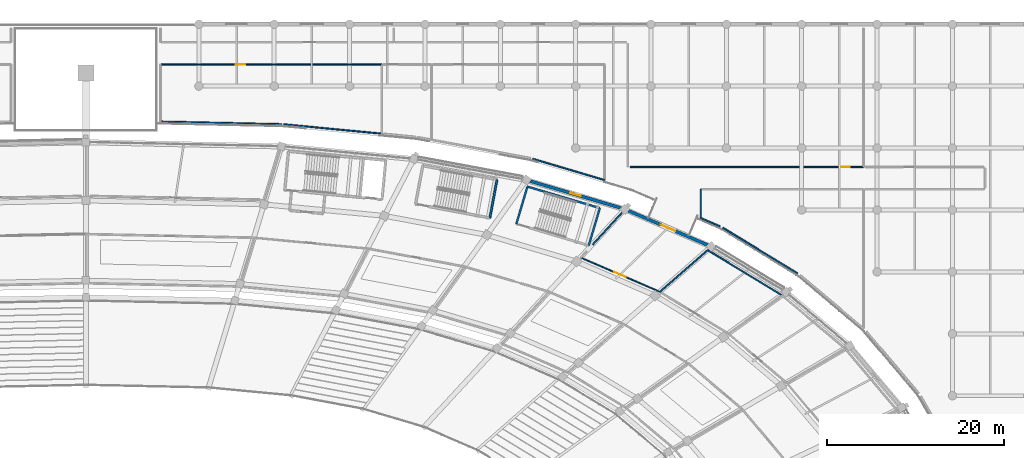
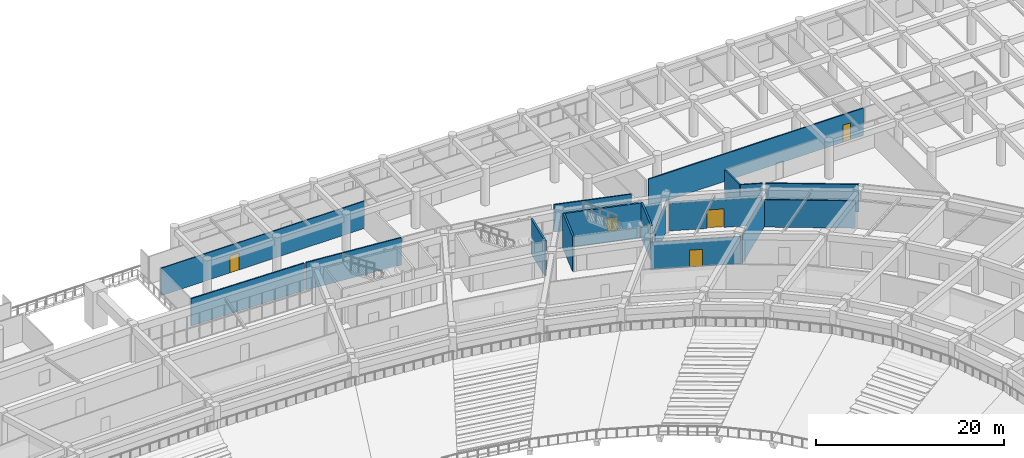
# One storey, part 115 of 152: 18 walls, 4 doors, 1 window, 5 openings.
"""IFC4 building model written with IfcOpenShell, lengths in metres."""

from ifc_helpers import new_model, si_unit, direction, frame, frame_2d, origin, place, context, subcontext, project, spatial, rectangle, extrude, material, layer, layer_set, type_object, element, fill, save


model = new_model("IFC4")

# Units and contexts
model_context = context("Model", 3, precision=1e-05, world=origin(), true_north=direction((0.0, 1.0)))
body_context = subcontext(model_context, "Body", "Model", "MODEL_VIEW")
ifc_project = project(units=[si_unit("LENGTHUNIT", "METRE"), si_unit("AREAUNIT", "SQUARE_METRE"), si_unit("VOLUMEUNIT", "CUBIC_METRE"), si_unit("PLANEANGLEUNIT", "RADIAN"), si_unit("MASSUNIT", "GRAM", prefix="KILO")], contexts=[model_context])

# Site, building, storey
site_placement = place(None, origin())
site = spatial("IfcSite", under=ifc_project, at=site_placement, CompositionType="ELEMENT")
building_placement = place(site_placement, origin())
building = spatial("IfcBuilding", under=site, at=building_placement, Name="Mphavela Belvedere Stadium", CompositionType="ELEMENT")
storey_placement = place(building_placement, frame((0.0, 0.0, 5.39990234375)))
storey = spatial("IfcBuildingStorey", under=building, at=storey_placement, Name="L01", CompositionType="ELEMENT", Elevation=5.39990234375)

# Walls
ifc_material_1 = material(Name="Concrete C40/50", Category="concrete")
ifc_layer_1 = layer(ifc_material_1, 0.219970703125)
ifc_layer_set_1 = layer_set([ifc_layer_1], Name="Concrete C40/50")
wall_type_1 = type_object("IfcWallType", Name="WAL-CORE-SHEAR-220", PredefinedType="SHEAR", material=ifc_layer_set_1)
wall_1_placement = place(storey_placement, frame((164.917724609375, 155.643798828125, 0.0), z_axis=(0.0, 0.0, 1.0), x_axis=(0.958675743706, -0.284500998997, 0.0)))
element("IfcWall", 1, at=wall_1_placement, inside=storey, type_object=wall_type_1, Name="Core P01 shear wall L01 rear", PredefinedType="SHEAR", context=body_context, shape_type="SweptSolid", body=[
    extrude(rectangle(XDim=8.540283203125, YDim=0.219970703125, at=frame_2d((4.27001953125, 0.0))), origin(), (0.0, 0.0, 1.0), 4.550048828125),
])
wall_2_placement = place(storey_placement, frame((163.6630859375, 151.416015625, 0.0), z_axis=(0.0, 0.0, 1.0), x_axis=(0.284497328872, 0.958676832861, 0.0)))
element("IfcWall", 2, at=wall_2_placement, inside=storey, type_object=wall_type_1, Name="Core P01 shear wall L01 left", PredefinedType="SHEAR", context=body_context, shape_type="SweptSolid", body=[
    extrude(rectangle(XDim=4.409912109375, YDim=0.219970703125, at=frame_2d((2.205078125, 0.0))), origin(), (0.0, 0.0, 1.0), 4.550048828125),
])
wall_3_placement = place(storey_placement, frame((171.85009765625, 148.986083984375, 0.0), z_axis=(0.0, 0.0, 1.0), x_axis=(0.284533106789, 0.958666214665, 0.0)))
element("IfcWall", 3, at=wall_3_placement, inside=storey, type_object=wall_type_1, Name="Core P01 shear wall L01 right", PredefinedType="SHEAR", context=body_context, shape_type="SweptSolid", body=[
    extrude(rectangle(XDim=4.410400390625, YDim=0.219970703125, at=frame_2d((2.205078125, 0.0))), origin(), (0.0, 0.0, 1.0), 4.550048828125),
])
wall_4_placement = place(storey_placement, frame((160.674072265625, 152.1025390625, 0.0), z_axis=(0.0, 0.0, 1.0), x_axis=(0.183078394814, 0.983098317236, 0.0)))
element("IfcWall", 4, at=wall_4_placement, inside=storey, type_object=wall_type_1, Name="Core P02 shear wall L01 right", PredefinedType="SHEAR", context=body_context, shape_type="SweptSolid", body=[
    extrude(rectangle(XDim=4.409912109375, YDim=0.219970703125, at=frame_2d((2.205078125, 0.0))), origin(), (0.0, 0.0, 1.0), 4.550048828125),
])

# Wall, opening, door
ifc_material_2 = material(Name="Honed ashlar limestone masonry", Category="masonry")
ifc_layer_2 = layer(ifc_material_2, 0.35009765625)
ifc_layer_set_2 = layer_set([ifc_layer_2], Name="Honed ashlar limestone masonry")
wall_type_2 = type_object("IfcWallType", Name="WAL-EXT-ASHLAR-350", PredefinedType="STANDARD", material=ifc_layer_set_2)
wall_5_placement = place(storey_placement, frame((176.32568359375, 152.923095703125, 0.0), z_axis=(0.0, 0.0, 1.0), x_axis=(0.91749374913, -0.397750198375, 0.0)))
wall_5 = element("IfcWall", 5, at=wall_5_placement, inside=storey, type_object=wall_type_2, Name="Classical link portal wall L01-08", PredefinedType="STANDARD", context=body_context, shape_type="SweptSolid", body=[
    extrude(rectangle(XDim=9.790283203125, YDim=0.35009765625, at=frame_2d((4.89501953125, 0.0))), origin(), (0.0, 0.0, 1.0), 3.570068359375),
])
opening_1_placement = place(wall_5_placement, frame((3.9951171875, 0.0, 0.0)))
opening_1 = element("IfcOpeningElement", 6, at=opening_1_placement, cuts=wall_5, Name="Opening ID-9107", PredefinedType="OPENING", context=body_context, shape_type="SweptSolid", body=[
    extrude(rectangle(XDim=1.800048828125, YDim=2.39990234375, at=frame_2d((0.89990234375, 1.199951171875))), frame((0.0, 0.18505859375, 0.0), z_axis=(0.0, -1.0, 0.0), x_axis=(1.0, 0.0, 0.0)), (0.0, 0.0, 1.0), 0.3701171875),
])
ifc_material_3 = material(Name="Glazed bronze-anodised steel exit doorset", Category="steel")
door_type_1 = type_object("IfcDoorType", Name="DR-EXT-01", OperationType="NOTDEFINED", PredefinedType="DOOR", material=ifc_material_3)
door_1_placement = place(opening_1_placement, origin())
door_1 = element("IfcDoor", 7, at=door_1_placement, inside=storey, type_object=door_type_1, Name="Wing promenade link doorset L01-08", OperationType="DOUBLE_DOOR_SINGLE_SWING", OverallHeight=2.39990234375, OverallWidth=1.800048828125, PredefinedType="DOOR", context=body_context, shape_type="SweptSolid", body=[
    extrude(rectangle(XDim=1.800048828125, YDim=2.39990234375, at=frame_2d((0.89990234375, 1.199951171875))), frame((0.0, 0.02490234375, 0.0), z_axis=(0.0, -1.0, 0.0), x_axis=(1.0, 0.0, 0.0)), (0.0, 0.0, 1.0), 0.050048828125),
])
fill(opening_1, door_1)

# Wall, opening, window
wall_6_placement = place(storey_placement, frame((175.531982421875, 153.211669921875, 0.0), z_axis=(0.0, 0.0, 1.0), x_axis=(-0.958655755841, 0.284568342921, 0.0)))
wall_6 = element("IfcWall", 8, at=wall_6_placement, inside=storey, type_object=wall_type_2, Name="Classical ashlar facade wall L01-09", PredefinedType="STANDARD", context=body_context, shape_type="SweptSolid", body=[
    extrude(rectangle(XDim=10.7705078125, YDim=0.35009765625, at=frame_2d((5.38525390625, 0.0))), origin(), (0.0, 0.0, 1.0), 3.570068359375),
])
opening_2_placement = place(wall_6_placement, frame((4.765380859375, 0.0, 0.89990234375)))
opening_2 = element("IfcOpeningElement", 9, at=opening_2_placement, cuts=wall_6, Name="Opening W-013", PredefinedType="OPENING", context=body_context, shape_type="SweptSolid", body=[
    extrude(rectangle(XDim=1.239990234375, YDim=1.75, at=frame_2d((0.6201171875, 0.875))), frame((0.0, 0.18505859375, 0.0), z_axis=(0.0, -1.0, 0.0), x_axis=(1.0, 0.0, 0.0)), (0.0, 0.0, 1.0), 0.3701171875),
])
ifc_material_4 = material(Name="Bronze-anodised thermally broken aluminium window", Category="aluminium")
window_type = type_object("IfcWindowType", Name="WIN-EXT-13", PartitioningType="SINGLE_PANEL", PredefinedType="WINDOW", material=ifc_material_4)
window_placement = place(opening_2_placement, origin())
window = element("IfcWindow", 10, at=window_placement, inside=storey, type_object=window_type, Name="Belvedere gallery window W-013", OverallHeight=1.75, OverallWidth=1.239990234375, PartitioningType="SINGLE_PANEL", PredefinedType="WINDOW", context=body_context, shape_type="SweptSolid", body=[
    extrude(rectangle(XDim=1.239990234375, YDim=1.75, at=frame_2d((0.6201171875, 0.875))), frame((0.0, 0.030029296875, 0.0), z_axis=(0.0, -1.0, 0.0), x_axis=(1.0, 0.0, 0.0)), (0.0, 0.0, 1.0), 0.06005859375),
])
fill(opening_2, window)

# Wall, opening, door
ifc_material_5 = material(Name="Moisture-resistant sanitary partition assembly")
ifc_layer_3 = layer(ifc_material_5, 0.125)
ifc_layer_set_3 = layer_set([ifc_layer_3], Name="Moisture-resistant sanitary partition assembly")
wall_type_3 = type_object("IfcWallType", Name="WAL-PART-125", PredefinedType="PARTITIONING", material=ifc_layer_set_3)
wall_7_placement = place(storey_placement, frame((179.81982421875, 143.772216796875, 0.0), z_axis=(0.0, 0.0, 1.0), x_axis=(-0.917508957037, 0.39771511633, 0.0)))
wall_7 = element("IfcWall", 11, at=wall_7_placement, inside=storey, type_object=wall_type_3, Name="Room L01-55 corridor partition", PredefinedType="PARTITIONING", context=body_context, shape_type="SweptSolid", body=[
    extrude(rectangle(XDim=9.67138671875, YDim=0.125, at=frame_2d((4.835693359375, 0.0))), origin(), (0.0, 0.0, 1.0), 3.550048828125),
])
opening_3_placement = place(wall_7_placement, frame((4.1357421875, 0.0, 0.0)))
opening_3 = element("IfcOpeningElement", 12, at=opening_3_placement, cuts=wall_7, Name="Opening ID-096", PredefinedType="OPENING", context=body_context, shape_type="SweptSolid", body=[
    extrude(rectangle(XDim=1.39990234375, YDim=2.199951171875, at=frame_2d((0.699951171875, 1.10009765625))), frame((0.0, 0.072509765625, 0.0), z_axis=(0.0, -1.0, 0.0), x_axis=(1.0, 0.0, 0.0)), (0.0, 0.0, 1.0), 0.14501953125),
])
ifc_material_6 = material(Name="Hardwood acoustic timber doorset", Category="wood")
door_type_2 = type_object("IfcDoorType", Name="DR-INT-24", OperationType="NOTDEFINED", PredefinedType="DOOR", material=ifc_material_6)
door_2_placement = place(opening_3_placement, origin())
door_2 = element("IfcDoor", 13, at=door_2_placement, inside=storey, type_object=door_type_2, Name="Room L01-55 entrance door ID-096", OperationType="SINGLE_SWING_RIGHT", OverallHeight=2.199951171875, OverallWidth=1.39990234375, PredefinedType="DOOR", context=body_context, shape_type="SweptSolid", body=[
    extrude(rectangle(XDim=1.39990234375, YDim=2.199951171875, at=frame_2d((0.699951171875, 1.10009765625))), frame((0.0, 0.02490234375, 0.0), z_axis=(0.0, -1.0, 0.0), x_axis=(1.0, 0.0, 0.0)), (0.0, 0.0, 1.0), 0.050048828125),
])
fill(opening_3, door_2)

wall_8_placement = place(storey_placement, frame((123.5, 169.43994140625, 0.0), z_axis=(0.0, 0.0, 1.0), x_axis=(1.0, 0.0, 0.0)))
wall_8 = element("IfcWall", 14, at=wall_8_placement, inside=storey, type_object=wall_type_3, Name="Room L01-186 corridor partition", PredefinedType="PARTITIONING", context=body_context, shape_type="SweptSolid", body=[
    extrude(rectangle(XDim=24.945068359375, YDim=0.125, at=frame_2d((12.47265625, 0.0))), origin(), (0.0, 0.0, 1.0), 3.550048828125),
])
opening_4_placement = place(wall_8_placement, frame((8.441650390625, 0.0, 0.0)))
opening_4 = element("IfcOpeningElement", 15, at=opening_4_placement, cuts=wall_8, Name="Opening ID-450", PredefinedType="OPENING", context=body_context, shape_type="SweptSolid", body=[
    extrude(rectangle(XDim=1.10009765625, YDim=2.199951171875, at=frame_2d((0.550048828125, 1.10009765625))), frame((0.0, 0.072509765625, 0.0), z_axis=(0.0, -1.0, 0.0), x_axis=(1.0, 0.0, 0.0)), (0.0, 0.0, 1.0), 0.14501953125),
])
ifc_material_7 = material(Name="Hardwood acoustic timber doorset", Category="wood")
door_type_3 = type_object("IfcDoorType", Name="DR-INT-18", OperationType="NOTDEFINED", PredefinedType="DOOR", material=ifc_material_7)
door_3_placement = place(opening_4_placement, origin())
door_3 = element("IfcDoor", 16, at=door_3_placement, inside=storey, type_object=door_type_3, Name="Room L01-186 entrance door ID-450", OperationType="SINGLE_SWING_RIGHT", OverallHeight=2.199951171875, OverallWidth=1.10009765625, PredefinedType="DOOR", context=body_context, shape_type="SweptSolid", body=[
    extrude(rectangle(XDim=1.10009765625, YDim=2.199951171875, at=frame_2d((0.550048828125, 1.10009765625))), frame((0.0, 0.02490234375, 0.0), z_axis=(0.0, -1.0, 0.0), x_axis=(1.0, 0.0, 0.0)), (0.0, 0.0, 1.0), 0.050048828125),
])
fill(opening_4, door_3)

ifc_material_8 = material(Name="Acoustic gypsum stud partition assembly")
ifc_layer_4 = layer(ifc_material_8, 0.14990234375)
ifc_layer_set_4 = layer_set([ifc_layer_4], Name="Acoustic gypsum stud partition assembly")
wall_type_4 = type_object("IfcWallType", Name="WAL-PART-150", PredefinedType="PARTITIONING", material=ifc_layer_set_4)
wall_9_placement = place(storey_placement, frame((202.89990234375, 157.860107421875, 0.0), z_axis=(0.0, 0.0, 1.0), x_axis=(-1.0, 0.0, 0.0)))
wall_9 = element("IfcWall", 17, at=wall_9_placement, inside=storey, type_object=wall_type_4, Name="Room L01-182 corridor partition", PredefinedType="PARTITIONING", context=body_context, shape_type="SweptSolid", body=[
    extrude(rectangle(XDim=26.349853515625, YDim=0.14990234375, at=frame_2d((13.1748046875, 0.0))), origin(), (0.0, 0.0, 1.0), 3.550048828125),
])
opening_5_placement = place(wall_9_placement, frame((1.55859375, 0.0, 0.0)))
opening_5 = element("IfcOpeningElement", 18, at=opening_5_placement, cuts=wall_9, Name="Opening ID-446", PredefinedType="OPENING", context=body_context, shape_type="SweptSolid", body=[
    extrude(rectangle(XDim=0.93994140625, YDim=2.199951171875, at=frame_2d((0.469970703125, 1.10009765625))), frame((0.0, 0.0849609375, 0.0), z_axis=(0.0, -1.0, 0.0), x_axis=(1.0, 0.0, 0.0)), (0.0, 0.0, 1.0), 0.169921875),
])
ifc_material_9 = material(Name="Hardwood acoustic timber doorset", Category="wood")
door_type_4 = type_object("IfcDoorType", Name="DR-INT-14", OperationType="NOTDEFINED", PredefinedType="DOOR", material=ifc_material_9)
door_4_placement = place(opening_5_placement, origin())
door_4 = element("IfcDoor", 19, at=door_4_placement, inside=storey, type_object=door_type_4, Name="Room L01-182 entrance door ID-446", OperationType="SINGLE_SWING_RIGHT", OverallHeight=2.199951171875, OverallWidth=0.93994140625, PredefinedType="DOOR", context=body_context, shape_type="SweptSolid", body=[
    extrude(rectangle(XDim=0.93994140625, YDim=2.199951171875, at=frame_2d((0.469970703125, 1.10009765625))), frame((0.0, 0.02490234375, 0.0), z_axis=(0.0, -1.0, 0.0), x_axis=(1.0, 0.0, 0.0)), (0.0, 0.0, 1.0), 0.050048828125),
])
fill(opening_5, door_4)

# Walls
wall_10_placement = place(storey_placement, frame((179.89453125, 143.731201171875, 0.0), z_axis=(0.0, 0.0, 1.0), x_axis=(0.752564061831, 0.658519045162, 0.0)))
element("IfcWall", 20, at=wall_10_placement, inside=storey, type_object=wall_type_4, Name="Room divider partition L01-0163", PredefinedType="PARTITIONING", context=body_context, shape_type="SweptSolid", body=[
    extrude(rectangle(XDim=7.18310546875, YDim=0.14990234375, at=frame_2d((3.591552734375, 0.0))), origin(), (0.0, 0.0, 1.0), 3.550048828125),
])
wall_11_placement = place(storey_placement, frame((185.30029296875, 148.46142578125, 0.0), z_axis=(0.0, 0.0, 1.0), x_axis=(0.854323689683, -0.519741313777, 0.0)))
element("IfcWall", 21, at=wall_11_placement, inside=storey, type_object=wall_type_4, Name="Room divider partition L01-0164", PredefinedType="PARTITIONING", context=body_context, shape_type="SweptSolid", body=[
    extrude(rectangle(XDim=9.755859375, YDim=0.14990234375, at=frame_2d((4.8779296875, 0.0))), origin(), (0.0, 0.0, 1.0), 3.550048828125),
])
wall_12_placement = place(storey_placement, frame((172.2861328125, 149.072021484375, 0.0), z_axis=(0.0, 0.0, 1.0), x_axis=(0.67785928919, 0.735191664846, 0.0)))
element("IfcWall", 22, at=wall_12_placement, inside=storey, type_object=wall_type_4, Name="Room divider partition L01-0167", PredefinedType="PARTITIONING", context=body_context, shape_type="SweptSolid", body=[
    extrude(rectangle(XDim=4.892822265625, YDim=0.14990234375, at=frame_2d((2.4462890625, 0.0))), origin(), (0.0, 0.0, 1.0), 3.550048828125),
])
wall_13_placement = place(storey_placement, frame((195.455078125, 145.850341796875, 0.0), z_axis=(0.0, 0.0, 1.0), x_axis=(-0.854333268174, 0.519725568826, 0.0)))
element("IfcWall", 23, at=wall_13_placement, inside=storey, type_object=wall_type_4, Name="Room divider partition L01-0960", PredefinedType="PARTITIONING", context=body_context, shape_type="SweptSolid", body=[
    extrude(rectangle(XDim=9.90185546875, YDim=0.14990234375, at=frame_2d((4.950927734375, 0.0))), origin(), (0.0, 0.0, 1.0), 3.550048828125),
])
wall_14_placement = place(storey_placement, frame((186.6904296875, 151.154541015625, 0.0), z_axis=(0.0, 0.0, 1.0), x_axis=(-0.917484400903, 0.397771761314, 0.0)))
element("IfcWall", 24, at=wall_14_placement, inside=storey, type_object=wall_type_4, Name="Room divider partition L01-0961", PredefinedType="PARTITIONING", context=body_context, shape_type="SweptSolid", body=[
    extrude(rectangle(XDim=2.37646484375, YDim=0.14990234375, at=frame_2d((1.188232421875, 0.0))), origin(), (0.0, 0.0, 1.0), 3.550048828125),
])
wall_15_placement = place(storey_placement, frame((184.510009765625, 152.099853515625, 0.0), z_axis=(0.0, 0.0, 1.0), x_axis=(0.0, 1.0, 0.0)))
element("IfcWall", 25, at=wall_15_placement, inside=storey, type_object=wall_type_4, Name="Room divider partition L01-0962", PredefinedType="PARTITIONING", context=body_context, shape_type="SweptSolid", body=[
    extrude(rectangle(XDim=3.240234375, YDim=0.14990234375, at=frame_2d((1.6201171875, 0.0))), origin(), (0.0, 0.0, 1.0), 3.550048828125),
])
wall_16_placement = place(storey_placement, frame((137.16845703125, 162.693115234375, 0.0), z_axis=(0.0, 0.0, 1.0), x_axis=(-0.999768230535, 0.021528706714, 0.0)))
element("IfcWall", 26, at=wall_16_placement, inside=storey, type_object=wall_type_4, Name="Room divider partition L01-0980", PredefinedType="PARTITIONING", context=body_context, shape_type="SweptSolid", body=[
    extrude(rectangle(XDim=13.7216796875, YDim=0.14990234375, at=frame_2d((6.86083984375, 0.0))), origin(), (0.0, 0.0, 1.0), 3.550048828125),
])
wall_17_placement = place(storey_placement, frame((148.445068359375, 161.624755859375, 0.0), z_axis=(0.0, 0.0, 1.0), x_axis=(-0.995483944756, 0.094930057059, 0.0)))
element("IfcWall", 27, at=wall_17_placement, inside=storey, type_object=wall_type_4, Name="Room divider partition L01-0983", PredefinedType="PARTITIONING", context=body_context, shape_type="SweptSolid", body=[
    extrude(rectangle(XDim=11.1435546875, YDim=0.14990234375, at=frame_2d((5.57177734375, 0.0))), origin(), (0.0, 0.0, 1.0), 3.550048828125),
])
wall_18_placement = place(storey_placement, frame((173.639892578125, 156.381103515625, 0.0), z_axis=(0.0, 0.0, 1.0), x_axis=(-0.95866000112, 0.284554041006, 0.0)))
element("IfcWall", 28, at=wall_18_placement, inside=storey, type_object=wall_type_4, Name="Room divider partition L01-0988", PredefinedType="PARTITIONING", context=body_context, shape_type="SweptSolid", body=[
    extrude(rectangle(XDim=8.477783203125, YDim=0.14990234375, at=frame_2d((4.23876953125, 0.0))), origin(), (0.0, 0.0, 1.0), 3.550048828125),
])

save(model, "model.ifc")
